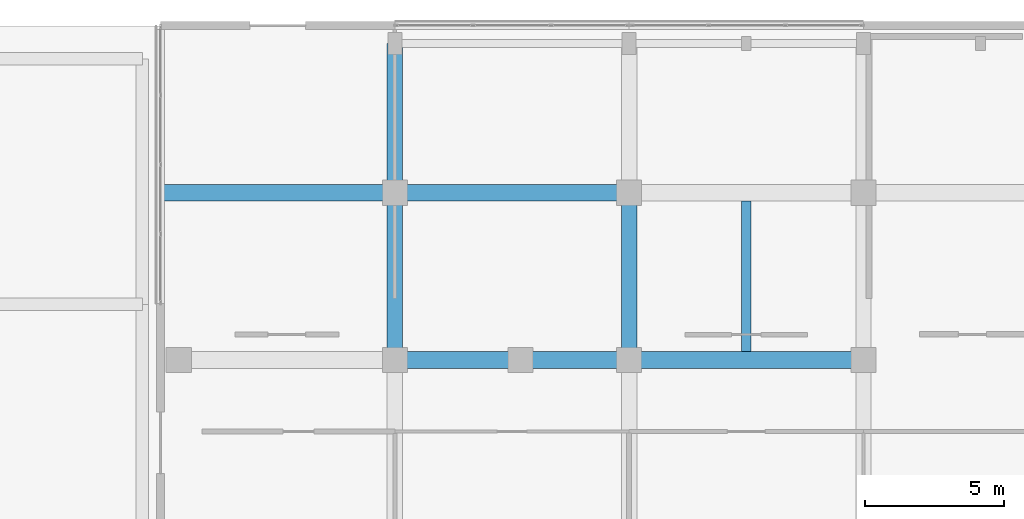
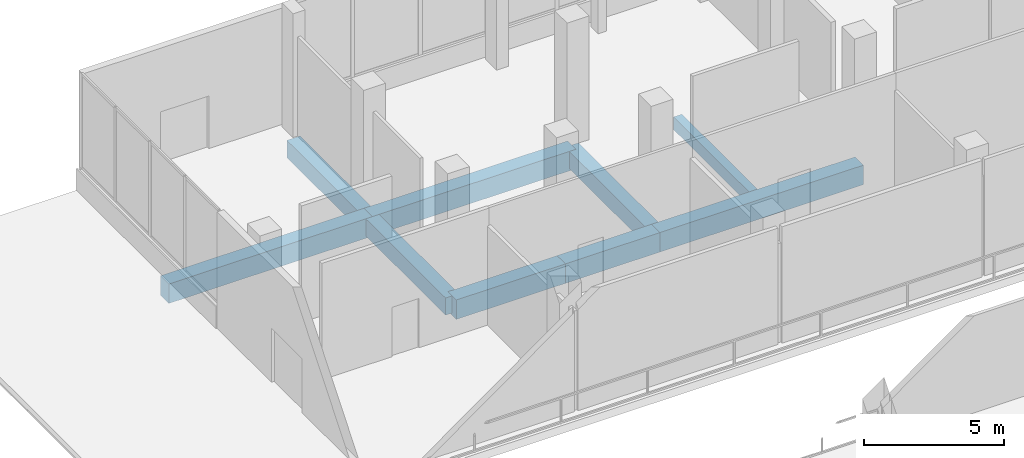
# One storey, part 73 of 158: 9 beams.
"""IFC4 building model written with IfcOpenShell, lengths in metres."""

from ifc_helpers import new_model, si_unit, direction, frame, origin, origin_2d, place, context, subcontext, project, spatial, rectangle, extrude, material, material_profile, profile_set, type_object, element, save


model = new_model("IFC4")

# Units and contexts
model_context = context("Model", 3, precision=1e-05, world=origin(), true_north=direction((0.0, 1.0)))
body_context = subcontext(model_context, "Body", "Model", "MODEL_VIEW")
ifc_project = project(units=[si_unit("LENGTHUNIT", "METRE"), si_unit("AREAUNIT", "SQUARE_METRE"), si_unit("VOLUMEUNIT", "CUBIC_METRE"), si_unit("PLANEANGLEUNIT", "RADIAN"), si_unit("MASSUNIT", "GRAM", prefix="KILO")], contexts=[model_context])

# Site, building, storey
site_placement = place(None, origin())
site = spatial("IfcSite", under=ifc_project, at=site_placement, CompositionType="ELEMENT")
building_placement = place(site_placement, origin())
building = spatial("IfcBuilding", under=site, at=building_placement, Name="Selatvlak General Hospital", CompositionType="ELEMENT")
storey_placement = place(building_placement, origin())
storey = spatial("IfcBuildingStorey", under=building, at=storey_placement, Name="L00", CompositionType="ELEMENT", Elevation=0.0)

# Beams
ifc_material = material(Name="Concrete C40/50", Category="concrete")
ifc_material_profile_1 = material_profile(ifc_material, rectangle(XDim=0.60009765625, YDim=0.85009765625, at=origin_2d()), Name="RC-BM 600x850")
ifc_profile_set_1 = profile_set([ifc_material_profile_1], Name="Concrete C40/50")
beam_type_1 = type_object("IfcBeamType", Name="BM-G01", PredefinedType="BEAM", material=ifc_profile_set_1)
beam_1_placement = place(storey_placement, frame((22.800048828125, 108.0, -0.77490234375), z_axis=(1.0, 0.0, 0.0), x_axis=(0.0, 1.0, 0.0)))
element("IfcBeam", 1, at=beam_1_placement, inside=storey, type_object=beam_type_1, Name="Beam BMR-L00-0119", PredefinedType="BEAM", context=body_context, shape_type="SweptSolid", body=[
    extrude(rectangle(XDim=0.60009765625, YDim=0.85009765625, at=origin_2d()), origin(), (0.0, 0.0, 1.0), 4.5),
])
beam_2_placement = place(storey_placement, frame((27.300048828125, 108.0, -0.77490234375), z_axis=(1.0, 0.0, 0.0), x_axis=(0.0, 1.0, 0.0)))
element("IfcBeam", 2, at=beam_2_placement, inside=storey, type_object=beam_type_1, Name="Beam BMR-L00-0120", PredefinedType="BEAM", context=body_context, shape_type="SweptSolid", body=[
    extrude(rectangle(XDim=0.60009765625, YDim=0.85009765625, at=origin_2d()), origin(), (0.0, 0.0, 1.0), 3.89990234375),
])
for number, where, z_axis, x_axis, name in (
    (3, (31.199951171875, 108.0, -0.77490234375), (1.0, 0.0, 0.0), (0.0, 1.0, 0.0), "Beam BMR-L00-0121"),
    (4, (14.39990234375, 114.0, -0.77490234375), (1.0, 0.0, 0.0), (0.0, 1.0, 0.0), "Beam BMR-L00-0132"),
):
    element("IfcBeam", number, at=place(storey_placement, frame(where, z_axis=z_axis, x_axis=x_axis)), inside=storey, type_object=beam_type_1, Name=name, PredefinedType="BEAM", context=body_context, shape_type="SweptSolid", body=[
        extrude(rectangle(XDim=0.60009765625, YDim=0.85009765625, at=origin_2d()), origin(), (0.0, 0.0, 1.0), 8.400146484375),
    ])
beam_3_placement = place(storey_placement, frame((22.800048828125, 114.0, -0.77490234375), z_axis=(1.0, 0.0, 0.0), x_axis=(0.0, 1.0, 0.0)))
element("IfcBeam", 5, at=beam_3_placement, inside=storey, type_object=beam_type_1, Name="Beam BMR-L00-0133", PredefinedType="BEAM", context=body_context, shape_type="SweptSolid", body=[
    extrude(rectangle(XDim=0.60009765625, YDim=0.85009765625, at=origin_2d()), origin(), (0.0, 0.0, 1.0), 8.39990234375),
])
ifc_material_profile_2 = material_profile(ifc_material, rectangle(XDim=0.550048828125, YDim=0.75, at=origin_2d()), Name="RC-BM 550x750")
ifc_profile_set_2 = profile_set([ifc_material_profile_2], Name="Concrete C40/50")
beam_type_2 = type_object("IfcBeamType", Name="BM-G02", PredefinedType="BEAM", material=ifc_profile_set_2)
beam_4_placement = place(storey_placement, frame((22.800048828125, 108.0, -0.72509765625), z_axis=(0.0, 1.0, 0.0), x_axis=(-1.0, 0.0, 0.0)))
element("IfcBeam", 6, at=beam_4_placement, inside=storey, type_object=beam_type_2, Name="Beam BMR-L00-0165", PredefinedType="BEAM", context=body_context, shape_type="SweptSolid", body=[
    extrude(rectangle(XDim=0.550048828125, YDim=0.75, at=origin_2d()), origin(), (0.0, 0.0, 1.0), 6.0),
])
beam_5_placement = place(storey_placement, frame((22.800048828125, 114.0, -0.72509765625), z_axis=(0.0, 1.0, 0.0), x_axis=(-1.0, 0.0, 0.0)))
element("IfcBeam", 7, at=beam_5_placement, inside=storey, type_object=beam_type_2, Name="Beam BMR-L00-0166", PredefinedType="BEAM", context=body_context, shape_type="SweptSolid", body=[
    extrude(rectangle(XDim=0.550048828125, YDim=0.75, at=origin_2d()), origin(), (0.0, 0.0, 1.0), 5.35009765625),
])
beam_6_placement = place(storey_placement, frame((31.199951171875, 108.0, -0.72509765625), z_axis=(0.0, 1.0, 0.0), x_axis=(-1.0, 0.0, 0.0)))
element("IfcBeam", 8, at=beam_6_placement, inside=storey, type_object=beam_type_2, Name="Beam BMR-L00-0172", PredefinedType="BEAM", context=body_context, shape_type="SweptSolid", body=[
    extrude(rectangle(XDim=0.550048828125, YDim=0.75, at=origin_2d()), origin(), (0.0, 0.0, 1.0), 6.0),
])
ifc_material_profile_3 = material_profile(ifc_material, rectangle(XDim=0.35009765625, YDim=0.550048828125, at=origin_2d()), Name="RC-BM 350x550")
ifc_profile_set_3 = profile_set([ifc_material_profile_3], Name="Concrete C40/50")
beam_type_3 = type_object("IfcBeamType", Name="BM-J01", PredefinedType="JOIST", material=ifc_profile_set_3)
beam_7_placement = place(storey_placement, frame((35.39990234375, 108.300048828125, -0.625), z_axis=(0.0, 1.0, 0.0), x_axis=(-1.0, 0.0, 0.0)))
element("IfcBeam", 9, at=beam_7_placement, inside=storey, type_object=beam_type_3, Name="Beam BMR-L00-0319", PredefinedType="JOIST", context=body_context, shape_type="SweptSolid", body=[
    extrude(rectangle(XDim=0.35009765625, YDim=0.550048828125, at=origin_2d()), origin(), (0.0, 0.0, 1.0), 5.39990234375),
])

save(model, "model.ifc")
